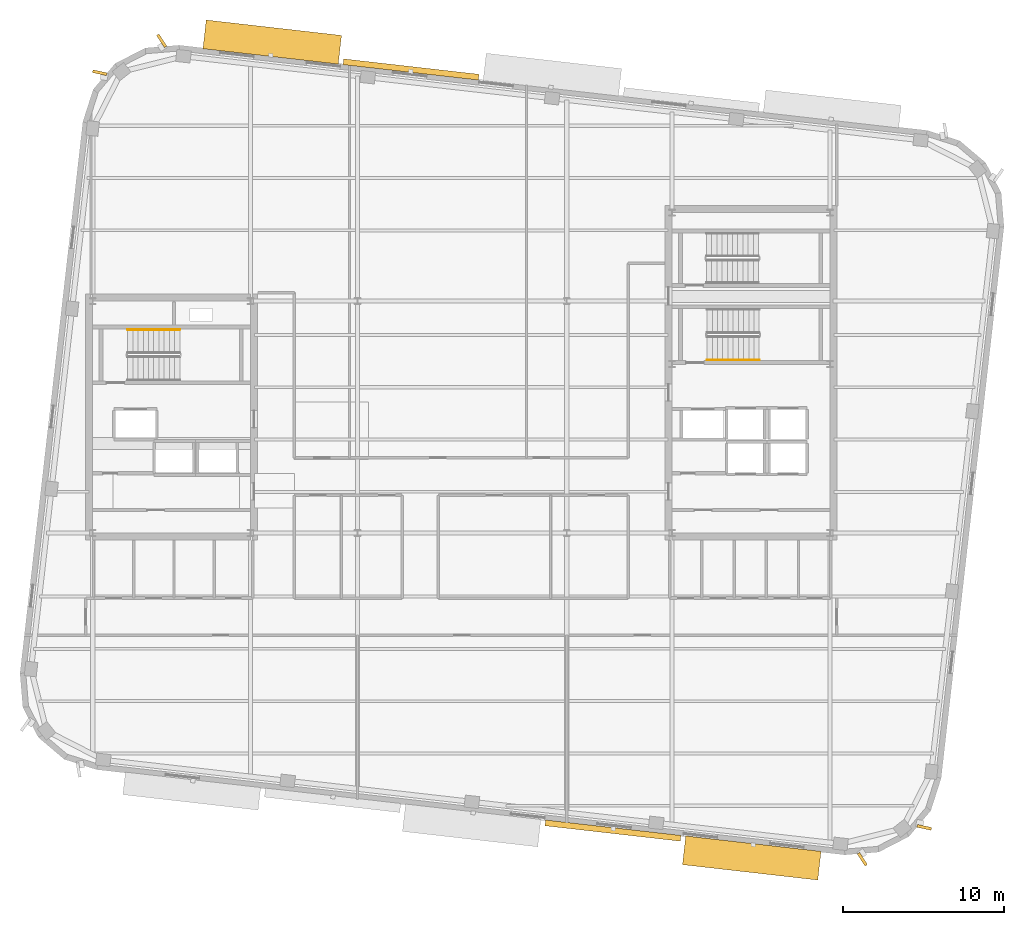
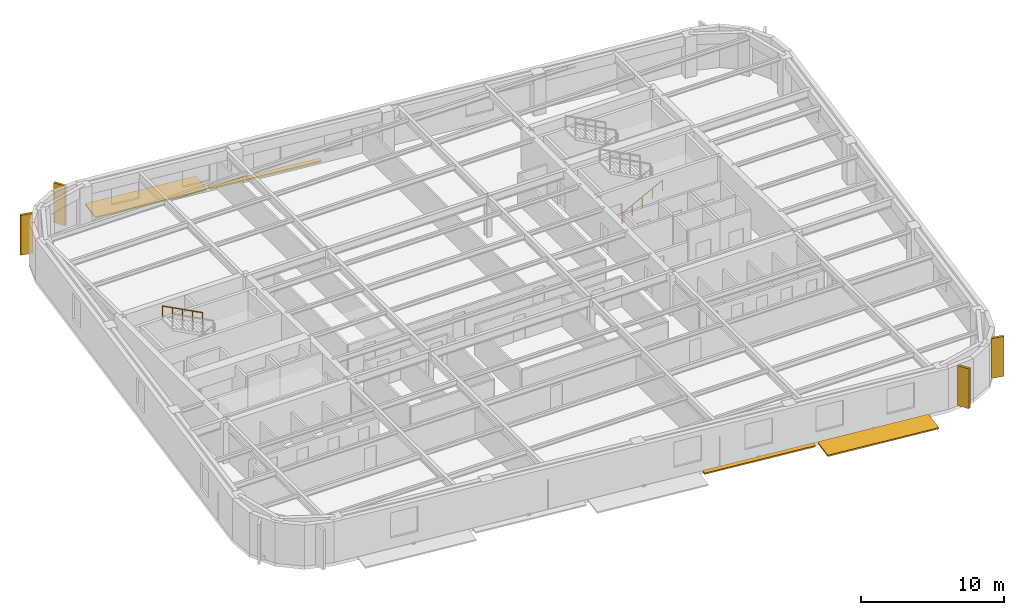
# One storey, part 12 of 14: 8 shading devices, 2 railings.
"""IFC4 building model written with IfcOpenShell, lengths in metres."""

import ifcopenshell
import ifcopenshell.guid

model = None  # the IFC model being written
_history = None  # IfcOwnerHistory: only IFC2X3 demands one
_inside = {}  # id of a spatial element -> (the spatial element, [elements in it])
_under = {}  # id of a project, library or spatial element -> (it, [spatial elements below it])
_declared = {}  # id of a project -> (the project, [libraries it declares])
_typed = {}  # id of a type object -> (the type object, [elements of that type])
_made_of = {}  # id of a material, layer set ... -> (it, [elements and type objects made of it])


def new_model(schema):
    """Start an empty IFC model of exactly this schema.

    Asked for "IFC4X3", IfcOpenShell would pick the latest addendum, in which some entities
    have other attributes; the version numbers below select the first issue.
    IFC2X3 requires an IfcOwnerHistory on every rooted entity: one is made here for all.
    """
    global model, _history
    if schema == "IFC4X3":
        model = ifcopenshell.file(schema_version=(4, 3, 0, 0))
    else:
        model = ifcopenshell.file(schema=schema)
    _inside.clear()
    _under.clear()
    _declared.clear()
    _typed.clear()
    _made_of.clear()
    _history = None
    if model.schema == "IFC2X3":
        org = make("IfcOrganization", Name="unknown")
        user = make(
            "IfcPersonAndOrganization",
            ThePerson=make("IfcPerson", FamilyName="unknown"),
            TheOrganization=org,
        )
        app = make(
            "IfcApplication",
            ApplicationDeveloper=org,
            Version="unknown",
            ApplicationFullName="unknown",
            ApplicationIdentifier="unknown",
        )
        _history = make(
            "IfcOwnerHistory",
            OwningUser=user,
            OwningApplication=app,
            ChangeAction="ADDED",
            CreationDate=0,
        )
    return model


def make(cls, **values):
    """One entity of the class cls with the attributes given. An attribute that is None is left unset."""
    return model.create_entity(
        cls, **{name: value for name, value in values.items() if value is not None}
    )


def rooted(cls, **values):
    """An entity with a GlobalId (a new one), such as an element, a storey or a relation."""
    return make(cls, GlobalId=ifcopenshell.guid.new(), OwnerHistory=_history, **values)


def si_unit(unit_type, name, prefix=None):
    """IfcSIUnit, for example si_unit("LENGTHUNIT", "METRE", prefix="MILLI")."""
    return make("IfcSIUnit", UnitType=unit_type, Prefix=prefix, Name=name)


def assignment(units):
    """IfcUnitAssignment: the units of a project."""
    return None if units is None else make("IfcUnitAssignment", Units=units)


def point(xyz):
    """IfcCartesianPoint."""
    return None if xyz is None else make("IfcCartesianPoint", Coordinates=xyz)


def direction(xyz):
    """IfcDirection."""
    return None if xyz is None else make("IfcDirection", DirectionRatios=xyz)


def frame(location, z_axis=None, x_axis=None):
    """IfcAxis2Placement3D, a coordinate frame: its origin and axes. An axis left out is left unset."""
    return make(
        "IfcAxis2Placement3D",
        Location=point(location),
        Axis=direction(z_axis),
        RefDirection=direction(x_axis),
    )


def frame_2d(location, x_axis=None):
    """IfcAxis2Placement2D, a coordinate frame in the plane: its origin and x axis."""
    return make(
        "IfcAxis2Placement2D", Location=point(location), RefDirection=direction(x_axis)
    )


def origin():
    """The frame at (0, 0, 0) with its axes left unset."""
    return frame((0.0, 0.0, 0.0))


def origin_2d():
    """The frame at (0, 0) in the plane with its x axis left unset."""
    return frame_2d((0.0, 0.0))


def place(relative_to, where):
    """IfcLocalPlacement: puts the frame where relative to a parent placement (None: the world)."""
    return make(
        "IfcLocalPlacement", PlacementRelTo=relative_to, RelativePlacement=where
    )


def context(
    kind, dimensions, precision=None, world=None, true_north=None, identifier=None
):
    """IfcGeometricRepresentationContext, for example the 3D "Model" context."""
    return make(
        "IfcGeometricRepresentationContext",
        ContextIdentifier=identifier,
        ContextType=kind,
        CoordinateSpaceDimension=dimensions,
        Precision=precision,
        WorldCoordinateSystem=world,
        TrueNorth=true_north,
    )


def subcontext(parent, identifier, kind, view, scale=None):
    """IfcGeometricRepresentationSubContext, for example "Body" below "Model"."""
    return make(
        "IfcGeometricRepresentationSubContext",
        ContextIdentifier=identifier,
        ContextType=kind,
        ParentContext=parent,
        TargetScale=scale,
        TargetView=view,
    )


def project(units=None, contexts=None):
    """IfcProject with its units and contexts."""
    return rooted(
        "IfcProject",
        Name="project",
        RepresentationContexts=contexts,
        UnitsInContext=assignment(units),
    )


def spatial(cls, under=None, at=None, **own):
    """A site, building, storey or space (cls), placed at a placement, below another one or the project."""
    s = rooted(cls, ObjectPlacement=at, **own)
    if under is not None:
        _under.setdefault(under.id(), (under, []))[1].append(s)
    return s


def profile(cls, at=None, kind="AREA", **sizes):
    """A parametric profile (cls). Its sizes go by their IFC names, for example OverallWidth=200.0."""
    return make(cls, ProfileType=kind, Position=at, **sizes)


def rectangle(**sizes):
    """IfcRectangleProfileDef."""
    return profile("IfcRectangleProfileDef", **sizes)


def circle(**sizes):
    """IfcCircleProfileDef."""
    return profile("IfcCircleProfileDef", **sizes)


def extrude(swept, where, along, depth):
    """IfcExtrudedAreaSolid: the profile swept, set in the frame where, extruded along a direction by depth."""
    return make(
        "IfcExtrudedAreaSolid",
        SweptArea=swept,
        Position=where,
        ExtrudedDirection=direction(along),
        Depth=depth,
    )


def shape(context_of_items, identifier, shape_type, items):
    """IfcShapeRepresentation: the items that make up one representation, for example the "Body"."""
    return make(
        "IfcShapeRepresentation",
        ContextOfItems=context_of_items,
        RepresentationIdentifier=identifier,
        RepresentationType=shape_type,
        Items=items,
    )


def material(Name=None, Category=None):
    """IfcMaterial."""
    return make("IfcMaterial", Name=Name, Category=Category)


def made_of(thing, what):
    """Note that an element or type object is made of a material, layer set ...; save() writes the relation."""
    if what is not None:
        _made_of.setdefault(what.id(), (what, []))[1].append(thing)
    return thing


def type_object(cls, material=None, **own):
    """A type object (cls), such as IfcWallType, which elements share."""
    return made_of(rooted(cls, **own), material)


def element(
    cls,
    number,
    at=None,
    inside=None,
    cuts=None,
    type_object=None,
    material=None,
    context=None,
    identifier="Body",
    shape_type=None,
    held_by="IfcProductDefinitionShape",
    body=None,
    shapes=None,
    **own,
):
    """One element of the class cls, such as IfcWall. Its Tag is "e" and its number.

    at: its placement. inside: the storey or other place that contains it. cuts: it is an
    opening in that element (IfcRelVoidsElement). A single representation is given by context,
    identifier, shape_type and body (its items); several are given by shapes. held_by: the class
    of the entity that holds the representations. save() writes the other relations.
    """
    e = rooted(cls, Tag="e%d" % number, ObjectPlacement=at, **own)
    if body is not None:
        shapes = [shape(context, identifier, shape_type, body)]
    if shapes is not None:
        e.Representation = make(held_by, Representations=shapes)
    if inside is not None:
        _inside.setdefault(inside.id(), (inside, []))[1].append(e)
    if cuts is not None:
        rooted(
            "IfcRelVoidsElement", RelatingBuildingElement=cuts, RelatedOpeningElement=e
        )
    if type_object is not None:
        _typed.setdefault(type_object.id(), (type_object, []))[1].append(e)
    return made_of(e, material)


def aggregate(whole, parts):
    """IfcRelAggregates: a whole, such as a stair, and the parts it consists of."""
    return rooted("IfcRelAggregates", RelatingObject=whole, RelatedObjects=parts)


def save(model, path):
    """Write the relations noted so far, then the file.

    IfcRelAggregates (storeys below a building ...), IfcRelContainedInSpatialStructure (elements
    in a storey), IfcRelDefinesByType, IfcRelAssociatesMaterial and IfcRelDeclares: one each for
    every whole, place, type object, material and project.
    """
    for whole, parts in _under.values():
        aggregate(whole, parts)
    for where, things in _inside.values():
        rooted(
            "IfcRelContainedInSpatialStructure",
            RelatedElements=things,
            RelatingStructure=where,
        )
    for kind, things in _typed.values():
        rooted("IfcRelDefinesByType", RelatedObjects=things, RelatingType=kind)
    for what, things in _made_of.values():
        rooted("IfcRelAssociatesMaterial", RelatedObjects=things, RelatingMaterial=what)
    for by, libraries in _declared.values():
        rooted("IfcRelDeclares", RelatingContext=by, RelatedDefinitions=libraries)
    model.write(path)


model = new_model("IFC4")

# Units and contexts
model_context = context("Model", 3, precision=1e-05, world=origin(), true_north=direction((0.0, 1.0)))
body_context = subcontext(model_context, "Body", "Model", "MODEL_VIEW")
ifc_project = project(units=[si_unit("LENGTHUNIT", "METRE"), si_unit("AREAUNIT", "SQUARE_METRE"), si_unit("VOLUMEUNIT", "CUBIC_METRE"), si_unit("PLANEANGLEUNIT", "RADIAN"), si_unit("MASSUNIT", "GRAM", prefix="KILO")], contexts=[model_context])

# Site, building, storey
site_placement = place(None, origin())
site = spatial("IfcSite", under=ifc_project, at=site_placement, CompositionType="ELEMENT")
building_placement = place(site_placement, origin())
building = spatial("IfcBuilding", under=site, at=building_placement, Name="Kolvaren Arena Tower", CompositionType="ELEMENT")
storey_placement = place(building_placement, frame((0.0, 0.0, 258.449951171875)))
storey = spatial("IfcBuildingStorey", under=building, at=storey_placement, Name="L63", CompositionType="ELEMENT", Elevation=258.449951171875)

# Railings
ifc_material_1 = material(Name="Brushed stainless steel handrail", Category="steel")
railing_type = type_object("IfcRailingType", Name="HRAIL-900", PredefinedType="HANDRAIL", material=ifc_material_1)
railing_1_placement = place(storey_placement, frame((19.9599609375, 32.080078125, 2.04541015625)))
element("IfcRailing", 1, at=railing_1_placement, inside=storey, type_object=railing_type, Name="L63 ST-W1 stair handrail 2", PredefinedType="HANDRAIL", context=body_context, shape_type="SweptSolid", body=[
    extrude(circle(Radius=0.02392578125, at=origin_2d()), frame((0.0, 0.0, 0.8759765625), z_axis=(-0.884993431791, 0.0, 0.465603506952), x_axis=(0.0, -1.0, 0.0)), (0.0, 0.0, 1.0), 3.6611328125),
    extrude(circle(Radius=0.02099609375, at=origin_2d()), origin(), (0.0, 0.0, 1.0), 0.851806640625),
    extrude(circle(Radius=0.02099609375, at=origin_2d()), frame((-0.81005859375, 0.0, 0.42626953125)), (0.0, 0.0, 1.0), 0.851806640625),
    extrude(circle(Radius=0.02099609375, at=origin_2d()), frame((-1.6201171875, 0.0, 0.852294921875)), (0.0, 0.0, 1.0), 0.851806640625),
    extrude(circle(Radius=0.02099609375, at=origin_2d()), frame((-2.429931640625, 0.0, 1.2783203125)), (0.0, 0.0, 1.0), 0.851806640625),
    extrude(circle(Radius=0.02099609375, at=origin_2d()), frame((-3.239990234375, 0.0, 1.70458984375)), (0.0, 0.0, 1.0), 0.851806640625),
])
railing_2_placement = place(storey_placement, frame((52.719970703125, 30.199951171875, 0.17041015625)))
element("IfcRailing", 2, at=railing_2_placement, inside=storey, type_object=railing_type, Name="L63 ST-E1 stair handrail 1", PredefinedType="HANDRAIL", context=body_context, shape_type="SweptSolid", body=[
    extrude(circle(Radius=0.02392578125, at=origin_2d()), frame((0.0, 0.0, 0.8759765625), z_axis=(0.884993431791, 0.0, 0.465603506952), x_axis=(0.0, 1.0, 0.0)), (0.0, 0.0, 1.0), 3.6611328125),
    extrude(circle(Radius=0.02099609375, at=origin_2d()), origin(), (0.0, 0.0, 1.0), 0.851806640625),
    extrude(circle(Radius=0.02099609375, at=origin_2d()), frame((0.81005859375, 0.0, 0.42626953125)), (0.0, 0.0, 1.0), 0.851806640625),
    extrude(circle(Radius=0.02099609375, at=origin_2d()), frame((1.6201171875, 0.0, 0.852294921875)), (0.0, 0.0, 1.0), 0.851806640625),
    extrude(circle(Radius=0.02099609375, at=origin_2d()), frame((2.429931640625, 0.0, 1.2783203125)), (0.0, 0.0, 1.0), 0.851806640625),
    extrude(circle(Radius=0.02099609375, at=origin_2d()), frame((3.239990234375, 0.0, 1.70458984375)), (0.0, 0.0, 1.0), 0.851806640625),
])

# Shading devices
ifc_material_2 = material(Name="Precast architectural concrete C50/60 rib fin", Category="concrete")
shading_device_type_1 = type_object("IfcShadingDeviceType", Name="SHAD-FIN-28", PredefinedType="USERDEFINED", material=ifc_material_2)
for number, where, z_axis, x_axis, name in (
    (3, (62.365234375, -0.824951171875, 0.02001953125), (0.0, 0.0, 1.0), (0.540981810797, -0.84103429204, 0.0), "Precast 28-Deg Corner Rib Fin (L63)"),
    (4, (66.2138671875, 1.1572265625, 0.02001953125), (0.0, 0.0, 1.0), (0.977234439221, -0.21216232182, 0.0), "Precast 28-Deg Corner Rib Fin (L63)"),
    (5, (18.834716796875, 50.02490234375, 0.02001953125), (0.0, 0.0, 1.0), (-0.540981810797, 0.84103429204, 0.0), "Precast 28-Deg Corner Rib Fin (L63)"),
    (6, (14.986083984375, 48.042724609375, 0.02001953125), (0.0, 0.0, 1.0), (-0.977234439221, 0.21216232182, 0.0), "Precast 28-Deg Corner Rib Fin (L63)"),
):
    element("IfcShadingDevice", number, at=place(storey_placement, frame(where, z_axis=z_axis, x_axis=x_axis)), inside=storey, type_object=shading_device_type_1, Name=name, ObjectType="FIN", PredefinedType="USERDEFINED", context=body_context, shape_type="SweptSolid", body=[
        extrude(rectangle(XDim=0.89990234375, YDim=0.179931640625, at=origin_2d()), origin(), (0.0, 0.0, 1.0), 3.39990234375),
    ])
ifc_material_3 = material(Name="Architectural precast GFRC and anodised aluminium sunshade", Category="concrete")
shading_device_type_2 = type_object("IfcShadingDeviceType", Name="SHAD-SINE-A", PredefinedType="USERDEFINED", material=ifc_material_3)
for number, where, z_axis, x_axis, name in (
    (7, (34.326171875, 48.243896484375, -0.139892578125), (0.0, 0.0, 1.0), (0.993571658098, -0.113204947878, 0.0), "Sinusoidal Slab-Edge Sunshade Louvre (L63)"),
    (8, (46.873779296875, 0.9560546875, -0.139892578125), (0.0, 0.0, 1.0), (-0.993571658098, 0.113204947878, 0.0), "Sinusoidal Slab-Edge Sunshade Louvre (L63)"),
):
    element("IfcShadingDevice", number, at=place(storey_placement, frame(where, z_axis=z_axis, x_axis=x_axis)), inside=storey, type_object=shading_device_type_2, Name=name, ObjectType="LOUVRE", PredefinedType="USERDEFINED", context=body_context, shape_type="SweptSolid", body=[
        extrude(rectangle(XDim=8.4599609375, YDim=0.36328125, at=origin_2d()), origin(), (0.0, 0.0, 1.0), 0.1201171875),
    ])
shading_device_type_3 = type_object("IfcShadingDeviceType", Name="SHAD-SINE-B", PredefinedType="JALOUSIE", material=ifc_material_3)
for number, where, z_axis, x_axis, name in (
    (9, (25.70361328125, 49.947265625, -0.139892578125), (0.0, 0.0, 1.0), (0.993571658098, -0.113204947878, 0.0), "Sinusoidal Slab-Edge Sunshade Louvre (L63)"),
    (10, (55.496337890625, -0.747314453125, -0.139892578125), (0.0, 0.0, 1.0), (-0.993571658098, 0.113204947878, 0.0), "Sinusoidal Slab-Edge Sunshade Louvre (L63)"),
):
    element("IfcShadingDevice", number, at=place(storey_placement, frame(where, z_axis=z_axis, x_axis=x_axis)), inside=storey, type_object=shading_device_type_3, Name=name, PredefinedType="JALOUSIE", context=body_context, shape_type="SweptSolid", body=[
        extrude(rectangle(XDim=8.4599609375, YDim=1.7958984375, at=origin_2d()), origin(), (0.0, 0.0, 1.0), 0.1201171875),
    ])

save(model, "model.ifc")
